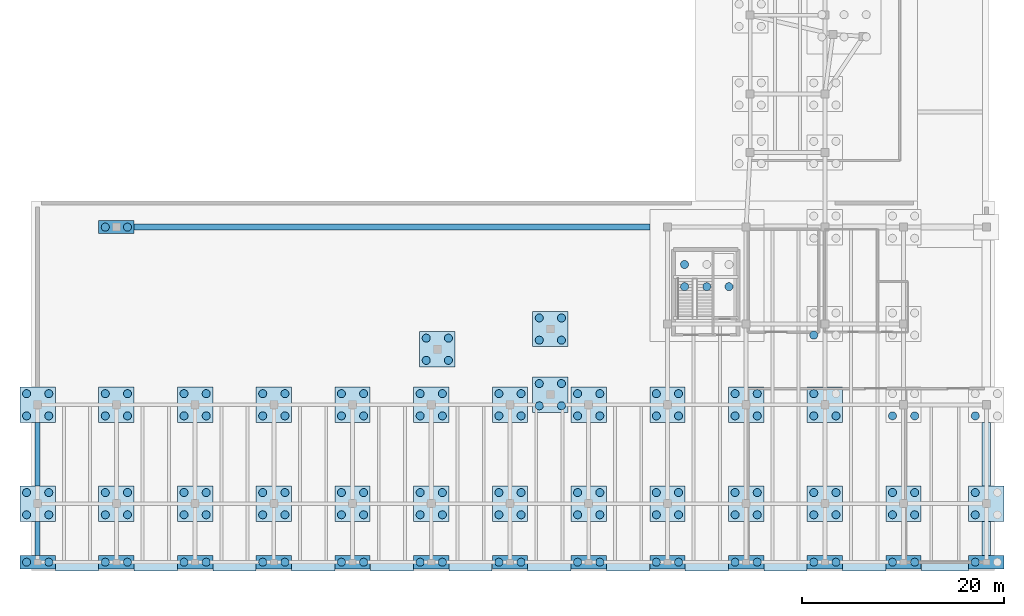
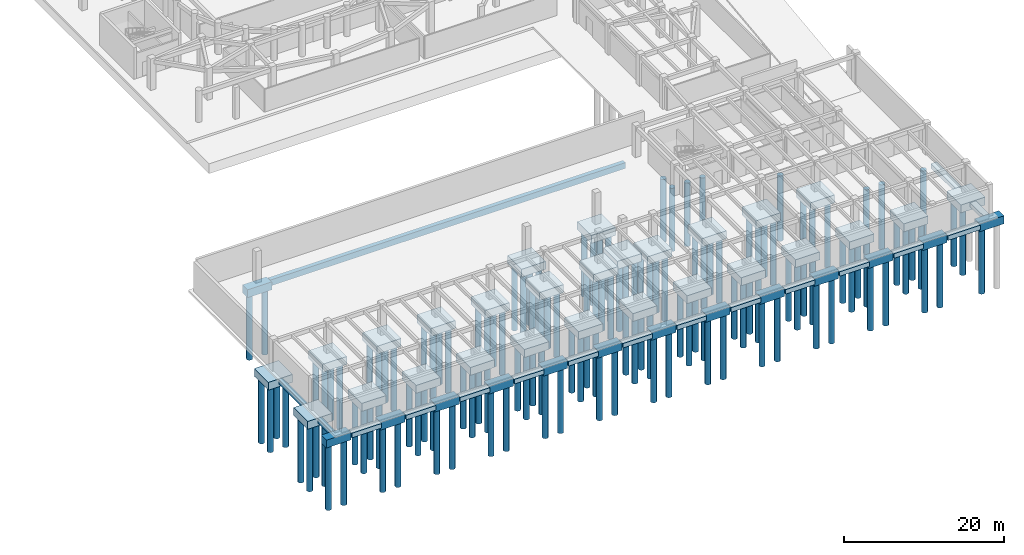
# One storey, part 1 of 11: 140 piles, 58 footings.
"""IFC4 building model written with IfcOpenShell, lengths in metres."""

from ifc_helpers import new_model, si_unit, direction, frame, origin, origin_2d, place, context, subcontext, project, spatial, rectangle, circle, extrude, material, layer, layer_set, material_profile, profile_set, type_object, element, save


model = new_model("IFC4")

# Units and contexts
model_context = context("Model", 3, precision=1e-05, world=origin(), true_north=direction((0.0, 1.0)))
body_context = subcontext(model_context, "Body", "Model", "MODEL_VIEW")
ifc_project = project(units=[si_unit("LENGTHUNIT", "METRE"), si_unit("AREAUNIT", "SQUARE_METRE"), si_unit("VOLUMEUNIT", "CUBIC_METRE"), si_unit("PLANEANGLEUNIT", "RADIAN"), si_unit("MASSUNIT", "GRAM", prefix="KILO")], contexts=[model_context])

# Site, building, storey
site_placement = place(None, origin())
site = spatial("IfcSite", under=ifc_project, at=site_placement, CompositionType="ELEMENT")
building_placement = place(site_placement, origin())
building = spatial("IfcBuilding", under=site, at=building_placement, Name="Pelvatis Terrace Science Centre", CompositionType="ELEMENT")
storey_placement = place(building_placement, frame((0.0, 0.0, -4.800048828125)))
storey = spatial("IfcBuildingStorey", under=building, at=storey_placement, Name="B01", CompositionType="ELEMENT", Elevation=-4.800048828125)

# Footings
ifc_material_1 = material(Name="Concrete C35/45", Category="concrete")
ifc_material_profile_1 = material_profile(ifc_material_1, rectangle(XDim=0.5, YDim=0.800048828125, at=origin_2d()), Name="RC-FTB 500x800")
ifc_profile_set_1 = profile_set([ifc_material_profile_1], Name="Concrete C35/45")
footing_type_1 = type_object("IfcFootingType", Name="FTG-BM-500x800", PredefinedType="FOOTING_BEAM", material=ifc_profile_set_1)
footing_1_placement = place(storey_placement, frame((70.199951171875, 1.044921875, -0.75), z_axis=(0.0, 1.0, 0.0), x_axis=(-1.0, 0.0, 0.0)))
element("IfcFooting", 1, at=footing_1_placement, inside=storey, type_object=footing_type_1, Name="Foundation footing beam 01", PredefinedType="FOOTING_BEAM", context=body_context, shape_type="SweptSolid", body=[
    extrude(rectangle(XDim=0.5, YDim=0.800048828125, at=origin_2d()), origin(), (0.0, 0.0, 1.0), 3.41015625),
])
footing_2_placement = place(storey_placement, frame((70.199951171875, 7.945068359375, -0.75), z_axis=(0.0, 1.0, 0.0), x_axis=(-1.0, 0.0, 0.0)))
element("IfcFooting", 2, at=footing_2_placement, inside=storey, type_object=footing_type_1, Name="Foundation footing beam 02", PredefinedType="FOOTING_BEAM", context=body_context, shape_type="SweptSolid", body=[
    extrude(rectangle(XDim=0.5, YDim=0.800048828125, at=origin_2d()), origin(), (0.0, 0.0, 1.0), 6.309814453125),
])
ifc_material_2 = material(Name="Concrete C35/45", Category="concrete")
ifc_material_profile_2 = material_profile(ifc_material_2, rectangle(XDim=0.60009765625, YDim=0.89990234375, at=origin_2d()), Name="RC-FTB 600x900")
ifc_profile_set_2 = profile_set([ifc_material_profile_2], Name="Concrete C35/45")
footing_type_2 = type_object("IfcFootingType", Name="FTG-BM-600x900", PredefinedType="FOOTING_BEAM", material=ifc_profile_set_2)
footing_3_placement = place(storey_placement, frame((79.7451171875, 33.60009765625, -0.75), z_axis=(1.0, 0.0, 0.0), x_axis=(0.0, 1.0, 0.0)))
element("IfcFooting", 3, at=footing_3_placement, inside=storey, type_object=footing_type_2, Name="Foundation footing beam 03", PredefinedType="FOOTING_BEAM", context=body_context, shape_type="SweptSolid", body=[
    extrude(rectangle(XDim=0.60009765625, YDim=0.89990234375, at=origin_2d()), origin(), (0.0, 0.0, 1.0), 51.10986328125),
])
ifc_material_3 = material(Name="Concrete C35/45", Category="concrete")
ifc_layer_1 = layer(ifc_material_3, 1.199951171875)
ifc_layer_set_1 = layer_set([ifc_layer_1], Name="Concrete C35/45")
footing_type_3 = type_object("IfcFootingType", Name="FTG-PC2-3500x1300x1200", PredefinedType="PILE_CAP", material=ifc_layer_set_1)
for number, where, z_axis, x_axis, name in (
    (4, (78.0, 0.39990234375, -1.5498046875), (0.0, 0.0, 1.0), (1.0, 0.0, 0.0), "Foundation cap B01-201"),
    (5, (85.800048828125, 0.39990234375, -1.5498046875), (0.0, 0.0, 1.0), (1.0, 0.0, 0.0), "Foundation cap B01-202"),
    (6, (93.60009765625, 0.39990234375, -1.5498046875), (0.0, 0.0, 1.0), (1.0, 0.0, 0.0), "Foundation cap B01-203"),
    (7, (70.199951171875, 0.39990234375, -1.5498046875), (0.0, 0.0, 1.0), (1.0, 0.0, 0.0), "Foundation cap B01-204"),
    (8, (78.0, 33.60009765625, -1.5498046875), (0.0, 0.0, 1.0), (1.0, 0.0, 0.0), "Foundation cap B01-213"),
    (9, (101.39990234375, 0.39990234375, -1.5498046875), (0.0, 0.0, 1.0), (1.0, 0.0, 0.0), "Foundation cap B01-215"),
    (10, (117.0, 0.39990234375, -1.5498046875), (0.0, 0.0, 1.0), (1.0, 0.0, 0.0), "Foundation cap B01-216"),
    (11, (109.199951171875, 0.39990234375, -1.5498046875), (0.0, 0.0, 1.0), (1.0, 0.0, 0.0), "Foundation cap B01-217"),
    (12, (140.39990234375, 0.39990234375, -1.5498046875), (0.0, 0.0, 1.0), (1.0, 0.0, 0.0), "Foundation cap B01-227"),
    (13, (124.800048828125, 0.39990234375, -1.5498046875), (0.0, 0.0, 1.0), (1.0, 0.0, 0.0), "Foundation cap B01-228"),
    (14, (132.60009765625, 0.39990234375, -1.5498046875), (0.0, 0.0, 1.0), (1.0, 0.0, 0.0), "Foundation cap B01-229"),
    (15, (164.199951171875, 0.39990234375, -1.5498046875), (0.0, 0.0, 1.0), (1.0, 0.0, 0.0), "Foundation cap B01-237"),
    (16, (156.0, 0.39990234375, -1.5498046875), (0.0, 0.0, 1.0), (1.0, 0.0, 0.0), "Foundation cap B01-238"),
    (17, (148.199951171875, 0.39990234375, -1.5498046875), (0.0, 0.0, 1.0), (1.0, 0.0, 0.0), "Foundation cap B01-239"),
):
    element("IfcFooting", number, at=place(storey_placement, frame(where, z_axis=z_axis, x_axis=x_axis)), inside=storey, type_object=footing_type_3, Name=name, PredefinedType="PILE_CAP", context=body_context, shape_type="SweptSolid", body=[
        extrude(rectangle(XDim=3.5, YDim=1.300048828125, at=origin_2d()), origin(), (0.0, 0.0, 1.0), 1.199951171875),
    ])
ifc_material_4 = material(Name="Concrete C35/45", Category="concrete")
ifc_layer_2 = layer(ifc_material_4, 1.199951171875)
ifc_layer_set_2 = layer_set([ifc_layer_2], Name="Concrete C35/45")
footing_type_4 = type_object("IfcFootingType", Name="FTG-PC4-3500x3500x1200", PredefinedType="PILE_CAP", material=ifc_layer_set_2)
for number, where, z_axis, x_axis, name in (
    (18, (70.199951171875, 6.199951171875, -1.5498046875), (0.0, 0.0, 1.0), (1.0, 0.0, 0.0), "Foundation cap B01-205"),
    (19, (78.0, 6.199951171875, -1.5498046875), (0.0, 0.0, 1.0), (1.0, 0.0, 0.0), "Foundation cap B01-206"),
    (20, (85.800048828125, 6.199951171875, -1.5498046875), (0.0, 0.0, 1.0), (1.0, 0.0, 0.0), "Foundation cap B01-207"),
    (21, (93.60009765625, 6.199951171875, -1.5498046875), (0.0, 0.0, 1.0), (1.0, 0.0, 0.0), "Foundation cap B01-208"),
    (22, (70.199951171875, 16.0, -1.5498046875), (0.0, 0.0, 1.0), (1.0, 0.0, 0.0), "Foundation cap B01-209"),
    (23, (78.0, 16.0, -1.5498046875), (0.0, 0.0, 1.0), (1.0, 0.0, 0.0), "Foundation cap B01-210"),
    (24, (85.800048828125, 16.0, -1.5498046875), (0.0, 0.0, 1.0), (1.0, 0.0, 0.0), "Foundation cap B01-211"),
    (25, (93.60009765625, 16.0, -1.5498046875), (0.0, 0.0, 1.0), (1.0, 0.0, 0.0), "Foundation cap B01-212"),
    (26, (101.39990234375, 6.199951171875, -1.5498046875), (0.0, 0.0, 1.0), (1.0, 0.0, 0.0), "Foundation cap B01-218"),
    (27, (117.0, 6.199951171875, -1.5498046875), (0.0, 0.0, 1.0), (1.0, 0.0, 0.0), "Foundation cap B01-219"),
    (28, (109.199951171875, 6.199951171875, -1.5498046875), (0.0, 0.0, 1.0), (1.0, 0.0, 0.0), "Foundation cap B01-220"),
    (29, (101.39990234375, 16.0, -1.5498046875), (0.0, 0.0, 1.0), (1.0, 0.0, 0.0), "Foundation cap B01-221"),
    (30, (117.0, 16.0, -1.5498046875), (0.0, 0.0, 1.0), (1.0, 0.0, 0.0), "Foundation cap B01-222"),
    (31, (109.199951171875, 16.0, -1.5498046875), (0.0, 0.0, 1.0), (1.0, 0.0, 0.0), "Foundation cap B01-223"),
    (32, (121.0, 17.0, -1.5498046875), (0.0, 0.0, 1.0), (1.0, 0.0, 0.0), "Foundation cap B01-224"),
    (33, (109.800048828125, 21.5, -1.5498046875), (0.0, 0.0, 1.0), (1.0, 0.0, 0.0), "Foundation cap B01-225"),
    (34, (121.0, 23.5, -1.5498046875), (0.0, 0.0, 1.0), (1.0, 0.0, 0.0), "Foundation cap B01-226"),
    (35, (140.39990234375, 6.199951171875, -1.5498046875), (0.0, 0.0, 1.0), (1.0, 0.0, 0.0), "Foundation cap B01-230"),
    (36, (132.60009765625, 6.199951171875, -1.5498046875), (0.0, 0.0, 1.0), (1.0, 0.0, 0.0), "Foundation cap B01-231"),
    (37, (124.800048828125, 6.199951171875, -1.5498046875), (0.0, 0.0, 1.0), (1.0, 0.0, 0.0), "Foundation cap B01-232"),
    (38, (140.39990234375, 16.0, -1.5498046875), (0.0, 0.0, 1.0), (1.0, 0.0, 0.0), "Foundation cap B01-233"),
    (39, (132.60009765625, 16.0, -1.5498046875), (0.0, 0.0, 1.0), (1.0, 0.0, 0.0), "Foundation cap B01-234"),
    (40, (124.800048828125, 16.0, -1.5498046875), (0.0, 0.0, 1.0), (1.0, 0.0, 0.0), "Foundation cap B01-235"),
    (41, (164.199951171875, 6.199951171875, -1.5498046875), (0.0, 0.0, 1.0), (1.0, 0.0, 0.0), "Foundation cap B01-240"),
    (42, (156.0, 6.199951171875, -1.5498046875), (0.0, 0.0, 1.0), (1.0, 0.0, 0.0), "Foundation cap B01-241"),
    (43, (148.199951171875, 6.199951171875, -1.5498046875), (0.0, 0.0, 1.0), (1.0, 0.0, 0.0), "Foundation cap B01-242"),
    (44, (148.199951171875, 16.0, -1.5498046875), (0.0, 0.0, 1.0), (1.0, 0.0, 0.0), "Foundation cap B01-243"),
):
    element("IfcFooting", number, at=place(storey_placement, frame(where, z_axis=z_axis, x_axis=x_axis)), inside=storey, type_object=footing_type_4, Name=name, PredefinedType="PILE_CAP", context=body_context, shape_type="SweptSolid", body=[
        extrude(rectangle(XDim=3.5, YDim=3.5, at=origin_2d()), origin(), (0.0, 0.0, 1.0), 1.199951171875),
    ])
ifc_material_5 = material(Name="Concrete C35/45", Category="concrete")
ifc_material_profile_3 = material_profile(ifc_material_5, rectangle(XDim=0.85009765625, YDim=0.64990234375, at=origin_2d()), Name="RC-STR 850x650")
ifc_profile_set_3 = profile_set([ifc_material_profile_3], Name="Concrete C35/45")
footing_type_5 = type_object("IfcFootingType", Name="FTG-STR-850x650", PredefinedType="STRIP_FOOTING", material=ifc_profile_set_3)
footing_4_placement = place(storey_placement, frame((164.199951171875, 1.06005859375, -0.75), z_axis=(0.0, 1.0, 0.0), x_axis=(-1.0, 0.0, 0.0)))
element("IfcFooting", 45, at=footing_4_placement, inside=storey, type_object=footing_type_5, Name="Foundation strip footing 32", PredefinedType="STRIP_FOOTING", context=body_context, shape_type="SweptSolid", body=[
    extrude(rectangle(XDim=0.85009765625, YDim=0.64990234375, at=origin_2d()), origin(), (0.0, 0.0, 1.0), 3.3798828125),
])
footing_5_placement = place(storey_placement, frame((164.199951171875, 7.9599609375, -0.75), z_axis=(0.0, 1.0, 0.0), x_axis=(-1.0, 0.0, 0.0)))
element("IfcFooting", 46, at=footing_5_placement, inside=storey, type_object=footing_type_5, Name="Foundation strip footing 33", PredefinedType="STRIP_FOOTING", context=body_context, shape_type="SweptSolid", body=[
    extrude(rectangle(XDim=0.85009765625, YDim=0.64990234375, at=origin_2d()), origin(), (0.0, 0.0, 1.0), 6.280029296875),
])
ifc_material_6 = material(Name="Concrete C35/45", Category="concrete")
ifc_material_profile_4 = material_profile(ifc_material_6, rectangle(XDim=0.949951171875, YDim=0.699951171875, at=origin_2d()), Name="RC-STR 950x700")
ifc_profile_set_4 = profile_set([ifc_material_profile_4], Name="Concrete C35/45")
footing_type_6 = type_object("IfcFootingType", Name="FTG-STR-950x700", PredefinedType="STRIP_FOOTING", material=ifc_profile_set_4)
for number, where, z_axis, x_axis, name in (
    (47, (71.9599609375, 0.0, -0.75), (1.0, 0.0, 0.0), (0.0, 1.0, 0.0), "Foundation strip footing 20"),
    (48, (79.760009765625, 0.0, -0.75), (1.0, 0.0, 0.0), (0.0, 1.0, 0.0), "Foundation strip footing 21"),
    (49, (87.56005859375, 0.0, -0.75), (1.0, 0.0, 0.0), (0.0, 1.0, 0.0), "Foundation strip footing 22"),
):
    element("IfcFooting", number, at=place(storey_placement, frame(where, z_axis=z_axis, x_axis=x_axis)), inside=storey, type_object=footing_type_6, Name=name, PredefinedType="STRIP_FOOTING", context=body_context, shape_type="SweptSolid", body=[
        extrude(rectangle(XDim=0.949951171875, YDim=0.699951171875, at=origin_2d()), origin(), (0.0, 0.0, 1.0), 4.280029296875),
    ])
footing_6_placement = place(storey_placement, frame((95.360107421875, 0.0, -0.75), z_axis=(1.0, 0.0, 0.0), x_axis=(0.0, 1.0, 0.0)))
element("IfcFooting", 50, at=footing_6_placement, inside=storey, type_object=footing_type_6, Name="Foundation strip footing 23", PredefinedType="STRIP_FOOTING", context=body_context, shape_type="SweptSolid", body=[
    extrude(rectangle(XDim=0.949951171875, YDim=0.699951171875, at=origin_2d()), origin(), (0.0, 0.0, 1.0), 4.27978515625),
])
for number, where, z_axis, x_axis, name in (
    (51, (103.159912109375, 0.0, -0.75), (1.0, 0.0, 0.0), (0.0, 1.0, 0.0), "Foundation strip footing 24"),
    (52, (110.9599609375, 0.0, -0.75), (1.0, 0.0, 0.0), (0.0, 1.0, 0.0), "Foundation strip footing 25"),
    (53, (118.760009765625, 0.0, -0.75), (1.0, 0.0, 0.0), (0.0, 1.0, 0.0), "Foundation strip footing 26"),
    (54, (126.56005859375, 0.0, -0.75), (1.0, 0.0, 0.0), (0.0, 1.0, 0.0), "Foundation strip footing 27"),
):
    element("IfcFooting", number, at=place(storey_placement, frame(where, z_axis=z_axis, x_axis=x_axis)), inside=storey, type_object=footing_type_6, Name=name, PredefinedType="STRIP_FOOTING", context=body_context, shape_type="SweptSolid", body=[
        extrude(rectangle(XDim=0.949951171875, YDim=0.699951171875, at=origin_2d()), origin(), (0.0, 0.0, 1.0), 4.280029296875),
    ])
footing_7_placement = place(storey_placement, frame((134.360107421875, 0.0, -0.75), z_axis=(1.0, 0.0, 0.0), x_axis=(0.0, 1.0, 0.0)))
element("IfcFooting", 55, at=footing_7_placement, inside=storey, type_object=footing_type_6, Name="Foundation strip footing 28", PredefinedType="STRIP_FOOTING", context=body_context, shape_type="SweptSolid", body=[
    extrude(rectangle(XDim=0.949951171875, YDim=0.699951171875, at=origin_2d()), origin(), (0.0, 0.0, 1.0), 4.27978515625),
])
for number, where, z_axis, x_axis, name in (
    (56, (142.159912109375, 0.0, -0.75), (1.0, 0.0, 0.0), (0.0, 1.0, 0.0), "Foundation strip footing 29"),
    (57, (149.9599609375, 0.0, -0.75), (1.0, 0.0, 0.0), (0.0, 1.0, 0.0), "Foundation strip footing 30"),
):
    element("IfcFooting", number, at=place(storey_placement, frame(where, z_axis=z_axis, x_axis=x_axis)), inside=storey, type_object=footing_type_6, Name=name, PredefinedType="STRIP_FOOTING", context=body_context, shape_type="SweptSolid", body=[
        extrude(rectangle(XDim=0.949951171875, YDim=0.699951171875, at=origin_2d()), origin(), (0.0, 0.0, 1.0), 4.280029296875),
    ])
footing_8_placement = place(storey_placement, frame((157.760009765625, 0.0, -0.75), z_axis=(1.0, 0.0, 0.0), x_axis=(0.0, 1.0, 0.0)))
element("IfcFooting", 58, at=footing_8_placement, inside=storey, type_object=footing_type_6, Name="Foundation strip footing 31", PredefinedType="STRIP_FOOTING", context=body_context, shape_type="SweptSolid", body=[
    extrude(rectangle(XDim=0.949951171875, YDim=0.699951171875, at=origin_2d()), origin(), (0.0, 0.0, 1.0), 4.679931640625),
])

# Piles
ifc_material_7 = material(Name="Concrete C30/37", Category="concrete")
ifc_material_profile_5 = material_profile(ifc_material_7, circle(Radius=0.39990234375, at=origin_2d()), Name="PILE D800")
ifc_profile_set_5 = profile_set([ifc_material_profile_5], Name="Concrete C30/37")
pile_type = type_object("IfcPileType", Name="PIL-BORED-D800", PredefinedType="BORED", material=ifc_profile_set_5)
for number, where, z_axis, x_axis, name in (
    (59, (76.89990234375, 0.39990234375, -1.449951171875), (0.0, 0.0, -1.0), (1.0, 0.0, 0.0), "Bored pile B01-201-1"),
    (60, (79.10009765625, 0.39990234375, -1.449951171875), (0.0, 0.0, -1.0), (1.0, 0.0, 0.0), "Bored pile B01-201-2"),
    (61, (84.699951171875, 0.39990234375, -1.449951171875), (0.0, 0.0, -1.0), (1.0, 0.0, 0.0), "Bored pile B01-202-1"),
    (62, (86.89990234375, 0.39990234375, -1.449951171875), (0.0, 0.0, -1.0), (1.0, 0.0, 0.0), "Bored pile B01-202-2"),
    (63, (92.5, 0.39990234375, -1.449951171875), (0.0, 0.0, -1.0), (1.0, 0.0, 0.0), "Bored pile B01-203-1"),
    (64, (94.699951171875, 0.39990234375, -1.449951171875), (0.0, 0.0, -1.0), (1.0, 0.0, 0.0), "Bored pile B01-203-2"),
    (65, (69.10009765625, 0.39990234375, -1.449951171875), (0.0, 0.0, -1.0), (1.0, 0.0, 0.0), "Bored pile B01-204-1"),
    (66, (71.300048828125, 0.39990234375, -1.449951171875), (0.0, 0.0, -1.0), (1.0, 0.0, 0.0), "Bored pile B01-204-2"),
    (67, (69.10009765625, 5.10009765625, -1.449951171875), (0.0, 0.0, -1.0), (1.0, 0.0, 0.0), "Bored pile B01-205-1"),
    (68, (69.10009765625, 7.300048828125, -1.449951171875), (0.0, 0.0, -1.0), (1.0, 0.0, 0.0), "Bored pile B01-205-2"),
    (69, (71.300048828125, 5.10009765625, -1.449951171875), (0.0, 0.0, -1.0), (1.0, 0.0, 0.0), "Bored pile B01-205-3"),
    (70, (71.300048828125, 7.300048828125, -1.449951171875), (0.0, 0.0, -1.0), (1.0, 0.0, 0.0), "Bored pile B01-205-4"),
    (71, (76.89990234375, 5.10009765625, -1.449951171875), (0.0, 0.0, -1.0), (1.0, 0.0, 0.0), "Bored pile B01-206-1"),
    (72, (76.89990234375, 7.300048828125, -1.449951171875), (0.0, 0.0, -1.0), (1.0, 0.0, 0.0), "Bored pile B01-206-2"),
    (73, (79.10009765625, 5.10009765625, -1.449951171875), (0.0, 0.0, -1.0), (1.0, 0.0, 0.0), "Bored pile B01-206-3"),
    (74, (79.10009765625, 7.300048828125, -1.449951171875), (0.0, 0.0, -1.0), (1.0, 0.0, 0.0), "Bored pile B01-206-4"),
    (75, (84.699951171875, 5.10009765625, -1.449951171875), (0.0, 0.0, -1.0), (1.0, 0.0, 0.0), "Bored pile B01-207-1"),
    (76, (84.699951171875, 7.300048828125, -1.449951171875), (0.0, 0.0, -1.0), (1.0, 0.0, 0.0), "Bored pile B01-207-2"),
    (77, (86.89990234375, 5.10009765625, -1.449951171875), (0.0, 0.0, -1.0), (1.0, 0.0, 0.0), "Bored pile B01-207-3"),
    (78, (86.89990234375, 7.300048828125, -1.449951171875), (0.0, 0.0, -1.0), (1.0, 0.0, 0.0), "Bored pile B01-207-4"),
    (79, (92.5, 5.10009765625, -1.449951171875), (0.0, 0.0, -1.0), (1.0, 0.0, 0.0), "Bored pile B01-208-1"),
    (80, (92.5, 7.300048828125, -1.449951171875), (0.0, 0.0, -1.0), (1.0, 0.0, 0.0), "Bored pile B01-208-2"),
    (81, (94.699951171875, 5.10009765625, -1.449951171875), (0.0, 0.0, -1.0), (1.0, 0.0, 0.0), "Bored pile B01-208-3"),
    (82, (94.699951171875, 7.300048828125, -1.449951171875), (0.0, 0.0, -1.0), (1.0, 0.0, 0.0), "Bored pile B01-208-4"),
    (83, (69.10009765625, 14.89990234375, -1.449951171875), (0.0, 0.0, -1.0), (1.0, 0.0, 0.0), "Bored pile B01-209-1"),
    (84, (69.10009765625, 17.10009765625, -1.449951171875), (0.0, 0.0, -1.0), (1.0, 0.0, 0.0), "Bored pile B01-209-2"),
    (85, (71.300048828125, 14.89990234375, -1.449951171875), (0.0, 0.0, -1.0), (1.0, 0.0, 0.0), "Bored pile B01-209-3"),
    (86, (71.300048828125, 17.10009765625, -1.449951171875), (0.0, 0.0, -1.0), (1.0, 0.0, 0.0), "Bored pile B01-209-4"),
    (87, (76.89990234375, 14.89990234375, -1.449951171875), (0.0, 0.0, -1.0), (1.0, 0.0, 0.0), "Bored pile B01-210-1"),
    (88, (76.89990234375, 17.10009765625, -1.449951171875), (0.0, 0.0, -1.0), (1.0, 0.0, 0.0), "Bored pile B01-210-2"),
    (89, (79.10009765625, 14.89990234375, -1.449951171875), (0.0, 0.0, -1.0), (1.0, 0.0, 0.0), "Bored pile B01-210-3"),
    (90, (79.10009765625, 17.10009765625, -1.449951171875), (0.0, 0.0, -1.0), (1.0, 0.0, 0.0), "Bored pile B01-210-4"),
    (91, (84.699951171875, 14.89990234375, -1.449951171875), (0.0, 0.0, -1.0), (1.0, 0.0, 0.0), "Bored pile B01-211-1"),
    (92, (84.699951171875, 17.10009765625, -1.449951171875), (0.0, 0.0, -1.0), (1.0, 0.0, 0.0), "Bored pile B01-211-2"),
    (93, (86.89990234375, 14.89990234375, -1.449951171875), (0.0, 0.0, -1.0), (1.0, 0.0, 0.0), "Bored pile B01-211-3"),
    (94, (86.89990234375, 17.10009765625, -1.449951171875), (0.0, 0.0, -1.0), (1.0, 0.0, 0.0), "Bored pile B01-211-4"),
    (95, (92.5, 14.89990234375, -1.449951171875), (0.0, 0.0, -1.0), (1.0, 0.0, 0.0), "Bored pile B01-212-1"),
    (96, (92.5, 17.10009765625, -1.449951171875), (0.0, 0.0, -1.0), (1.0, 0.0, 0.0), "Bored pile B01-212-2"),
    (97, (94.699951171875, 14.89990234375, -1.449951171875), (0.0, 0.0, -1.0), (1.0, 0.0, 0.0), "Bored pile B01-212-3"),
    (98, (94.699951171875, 17.10009765625, -1.449951171875), (0.0, 0.0, -1.0), (1.0, 0.0, 0.0), "Bored pile B01-212-4"),
    (99, (76.89990234375, 33.60009765625, -1.449951171875), (0.0, 0.0, -1.0), (1.0, 0.0, 0.0), "Bored pile B01-213-1"),
    (100, (79.10009765625, 33.60009765625, -1.449951171875), (0.0, 0.0, -1.0), (1.0, 0.0, 0.0), "Bored pile B01-213-2"),
    (101, (100.300048828125, 0.39990234375, -1.449951171875), (0.0, 0.0, -1.0), (1.0, 0.0, 0.0), "Bored pile B01-215-1"),
    (102, (102.5, 0.39990234375, -1.449951171875), (0.0, 0.0, -1.0), (1.0, 0.0, 0.0), "Bored pile B01-215-2"),
    (103, (115.89990234375, 0.39990234375, -1.449951171875), (0.0, 0.0, -1.0), (1.0, 0.0, 0.0), "Bored pile B01-216-1"),
    (104, (118.10009765625, 0.39990234375, -1.449951171875), (0.0, 0.0, -1.0), (1.0, 0.0, 0.0), "Bored pile B01-216-2"),
    (105, (108.10009765625, 0.39990234375, -1.449951171875), (0.0, 0.0, -1.0), (1.0, 0.0, 0.0), "Bored pile B01-217-1"),
    (106, (110.300048828125, 0.39990234375, -1.449951171875), (0.0, 0.0, -1.0), (1.0, 0.0, 0.0), "Bored pile B01-217-2"),
    (107, (100.300048828125, 5.10009765625, -1.449951171875), (0.0, 0.0, -1.0), (1.0, 0.0, 0.0), "Bored pile B01-218-1"),
    (108, (100.300048828125, 7.300048828125, -1.449951171875), (0.0, 0.0, -1.0), (1.0, 0.0, 0.0), "Bored pile B01-218-2"),
    (109, (102.5, 5.10009765625, -1.449951171875), (0.0, 0.0, -1.0), (1.0, 0.0, 0.0), "Bored pile B01-218-3"),
    (110, (102.5, 7.300048828125, -1.449951171875), (0.0, 0.0, -1.0), (1.0, 0.0, 0.0), "Bored pile B01-218-4"),
    (111, (115.89990234375, 5.10009765625, -1.449951171875), (0.0, 0.0, -1.0), (1.0, 0.0, 0.0), "Bored pile B01-219-1"),
    (112, (115.89990234375, 7.300048828125, -1.449951171875), (0.0, 0.0, -1.0), (1.0, 0.0, 0.0), "Bored pile B01-219-2"),
    (113, (118.10009765625, 5.10009765625, -1.449951171875), (0.0, 0.0, -1.0), (1.0, 0.0, 0.0), "Bored pile B01-219-3"),
    (114, (118.10009765625, 7.300048828125, -1.449951171875), (0.0, 0.0, -1.0), (1.0, 0.0, 0.0), "Bored pile B01-219-4"),
    (115, (108.10009765625, 5.10009765625, -1.449951171875), (0.0, 0.0, -1.0), (1.0, 0.0, 0.0), "Bored pile B01-220-1"),
    (116, (108.10009765625, 7.300048828125, -1.449951171875), (0.0, 0.0, -1.0), (1.0, 0.0, 0.0), "Bored pile B01-220-2"),
    (117, (110.300048828125, 5.10009765625, -1.449951171875), (0.0, 0.0, -1.0), (1.0, 0.0, 0.0), "Bored pile B01-220-3"),
    (118, (110.300048828125, 7.300048828125, -1.449951171875), (0.0, 0.0, -1.0), (1.0, 0.0, 0.0), "Bored pile B01-220-4"),
    (119, (100.300048828125, 14.89990234375, -1.449951171875), (0.0, 0.0, -1.0), (1.0, 0.0, 0.0), "Bored pile B01-221-1"),
    (120, (100.300048828125, 17.10009765625, -1.449951171875), (0.0, 0.0, -1.0), (1.0, 0.0, 0.0), "Bored pile B01-221-2"),
    (121, (102.5, 14.89990234375, -1.449951171875), (0.0, 0.0, -1.0), (1.0, 0.0, 0.0), "Bored pile B01-221-3"),
    (122, (102.5, 17.10009765625, -1.449951171875), (0.0, 0.0, -1.0), (1.0, 0.0, 0.0), "Bored pile B01-221-4"),
    (123, (115.89990234375, 14.89990234375, -1.449951171875), (0.0, 0.0, -1.0), (1.0, 0.0, 0.0), "Bored pile B01-222-1"),
    (124, (115.89990234375, 17.10009765625, -1.449951171875), (0.0, 0.0, -1.0), (1.0, 0.0, 0.0), "Bored pile B01-222-2"),
    (125, (118.10009765625, 14.89990234375, -1.449951171875), (0.0, 0.0, -1.0), (1.0, 0.0, 0.0), "Bored pile B01-222-3"),
    (126, (118.10009765625, 17.10009765625, -1.449951171875), (0.0, 0.0, -1.0), (1.0, 0.0, 0.0), "Bored pile B01-222-4"),
    (127, (108.10009765625, 14.89990234375, -1.449951171875), (0.0, 0.0, -1.0), (1.0, 0.0, 0.0), "Bored pile B01-223-1"),
    (128, (108.10009765625, 17.10009765625, -1.449951171875), (0.0, 0.0, -1.0), (1.0, 0.0, 0.0), "Bored pile B01-223-2"),
    (129, (110.300048828125, 14.89990234375, -1.449951171875), (0.0, 0.0, -1.0), (1.0, 0.0, 0.0), "Bored pile B01-223-3"),
    (130, (110.300048828125, 17.10009765625, -1.449951171875), (0.0, 0.0, -1.0), (1.0, 0.0, 0.0), "Bored pile B01-223-4"),
    (131, (119.89990234375, 15.89990234375, -1.449951171875), (0.0, 0.0, -1.0), (1.0, 0.0, 0.0), "Bored pile B01-224-1"),
    (132, (119.89990234375, 18.10009765625, -1.449951171875), (0.0, 0.0, -1.0), (1.0, 0.0, 0.0), "Bored pile B01-224-2"),
    (133, (122.10009765625, 15.89990234375, -1.449951171875), (0.0, 0.0, -1.0), (1.0, 0.0, 0.0), "Bored pile B01-224-3"),
    (134, (122.10009765625, 18.10009765625, -1.449951171875), (0.0, 0.0, -1.0), (1.0, 0.0, 0.0), "Bored pile B01-224-4"),
    (135, (108.699951171875, 20.39990234375, -1.449951171875), (0.0, 0.0, -1.0), (1.0, 0.0, 0.0), "Bored pile B01-225-1"),
    (136, (108.699951171875, 22.60009765625, -1.449951171875), (0.0, 0.0, -1.0), (1.0, 0.0, 0.0), "Bored pile B01-225-2"),
    (137, (110.89990234375, 20.39990234375, -1.449951171875), (0.0, 0.0, -1.0), (1.0, 0.0, 0.0), "Bored pile B01-225-3"),
    (138, (110.89990234375, 22.60009765625, -1.449951171875), (0.0, 0.0, -1.0), (1.0, 0.0, 0.0), "Bored pile B01-225-4"),
    (139, (119.89990234375, 22.39990234375, -1.449951171875), (0.0, 0.0, -1.0), (1.0, 0.0, 0.0), "Bored pile B01-226-1"),
    (140, (119.89990234375, 24.60009765625, -1.449951171875), (0.0, 0.0, -1.0), (1.0, 0.0, 0.0), "Bored pile B01-226-2"),
    (141, (122.10009765625, 22.39990234375, -1.449951171875), (0.0, 0.0, -1.0), (1.0, 0.0, 0.0), "Bored pile B01-226-3"),
    (142, (122.10009765625, 24.60009765625, -1.449951171875), (0.0, 0.0, -1.0), (1.0, 0.0, 0.0), "Bored pile B01-226-4"),
    (143, (139.300048828125, 0.39990234375, -1.449951171875), (0.0, 0.0, -1.0), (1.0, 0.0, 0.0), "Bored pile B01-227-1"),
    (144, (141.5, 0.39990234375, -1.449951171875), (0.0, 0.0, -1.0), (1.0, 0.0, 0.0), "Bored pile B01-227-2"),
    (145, (123.699951171875, 0.39990234375, -1.449951171875), (0.0, 0.0, -1.0), (1.0, 0.0, 0.0), "Bored pile B01-228-1"),
    (146, (125.89990234375, 0.39990234375, -1.449951171875), (0.0, 0.0, -1.0), (1.0, 0.0, 0.0), "Bored pile B01-228-2"),
    (147, (131.5, 0.39990234375, -1.449951171875), (0.0, 0.0, -1.0), (1.0, 0.0, 0.0), "Bored pile B01-229-1"),
    (148, (133.699951171875, 0.39990234375, -1.449951171875), (0.0, 0.0, -1.0), (1.0, 0.0, 0.0), "Bored pile B01-229-2"),
    (149, (139.300048828125, 5.10009765625, -1.449951171875), (0.0, 0.0, -1.0), (1.0, 0.0, 0.0), "Bored pile B01-230-1"),
    (150, (139.300048828125, 7.300048828125, -1.449951171875), (0.0, 0.0, -1.0), (1.0, 0.0, 0.0), "Bored pile B01-230-2"),
    (151, (141.5, 5.10009765625, -1.449951171875), (0.0, 0.0, -1.0), (1.0, 0.0, 0.0), "Bored pile B01-230-3"),
    (152, (141.5, 7.300048828125, -1.449951171875), (0.0, 0.0, -1.0), (1.0, 0.0, 0.0), "Bored pile B01-230-4"),
    (153, (131.5, 5.10009765625, -1.449951171875), (0.0, 0.0, -1.0), (1.0, 0.0, 0.0), "Bored pile B01-231-1"),
    (154, (131.5, 7.300048828125, -1.449951171875), (0.0, 0.0, -1.0), (1.0, 0.0, 0.0), "Bored pile B01-231-2"),
    (155, (133.699951171875, 5.10009765625, -1.449951171875), (0.0, 0.0, -1.0), (1.0, 0.0, 0.0), "Bored pile B01-231-3"),
    (156, (133.699951171875, 7.300048828125, -1.449951171875), (0.0, 0.0, -1.0), (1.0, 0.0, 0.0), "Bored pile B01-231-4"),
    (157, (123.699951171875, 5.10009765625, -1.449951171875), (0.0, 0.0, -1.0), (1.0, 0.0, 0.0), "Bored pile B01-232-1"),
    (158, (123.699951171875, 7.300048828125, -1.449951171875), (0.0, 0.0, -1.0), (1.0, 0.0, 0.0), "Bored pile B01-232-2"),
    (159, (125.89990234375, 5.10009765625, -1.449951171875), (0.0, 0.0, -1.0), (1.0, 0.0, 0.0), "Bored pile B01-232-3"),
    (160, (125.89990234375, 7.300048828125, -1.449951171875), (0.0, 0.0, -1.0), (1.0, 0.0, 0.0), "Bored pile B01-232-4"),
    (161, (139.300048828125, 14.89990234375, -1.449951171875), (0.0, 0.0, -1.0), (1.0, 0.0, 0.0), "Bored pile B01-233-1"),
    (162, (139.300048828125, 17.10009765625, -1.449951171875), (0.0, 0.0, -1.0), (1.0, 0.0, 0.0), "Bored pile B01-233-2"),
    (163, (141.5, 14.89990234375, -1.449951171875), (0.0, 0.0, -1.0), (1.0, 0.0, 0.0), "Bored pile B01-233-3"),
    (164, (141.5, 17.10009765625, -1.449951171875), (0.0, 0.0, -1.0), (1.0, 0.0, 0.0), "Bored pile B01-233-4"),
    (165, (131.5, 14.89990234375, -1.449951171875), (0.0, 0.0, -1.0), (1.0, 0.0, 0.0), "Bored pile B01-234-1"),
    (166, (131.5, 17.10009765625, -1.449951171875), (0.0, 0.0, -1.0), (1.0, 0.0, 0.0), "Bored pile B01-234-2"),
    (167, (133.699951171875, 14.89990234375, -1.449951171875), (0.0, 0.0, -1.0), (1.0, 0.0, 0.0), "Bored pile B01-234-3"),
    (168, (133.699951171875, 17.10009765625, -1.449951171875), (0.0, 0.0, -1.0), (1.0, 0.0, 0.0), "Bored pile B01-234-4"),
    (169, (123.699951171875, 14.89990234375, -1.449951171875), (0.0, 0.0, -1.0), (1.0, 0.0, 0.0), "Bored pile B01-235-1"),
    (170, (123.699951171875, 17.10009765625, -1.449951171875), (0.0, 0.0, -1.0), (1.0, 0.0, 0.0), "Bored pile B01-235-2"),
    (171, (125.89990234375, 14.89990234375, -1.449951171875), (0.0, 0.0, -1.0), (1.0, 0.0, 0.0), "Bored pile B01-235-3"),
    (172, (125.89990234375, 17.10009765625, -1.449951171875), (0.0, 0.0, -1.0), (1.0, 0.0, 0.0), "Bored pile B01-235-4"),
):
    element("IfcPile", number, at=place(storey_placement, frame(where, z_axis=z_axis, x_axis=x_axis)), inside=storey, type_object=pile_type, Name=name, PredefinedType="BORED", context=body_context, shape_type="SweptSolid", body=[
        extrude(circle(Radius=0.39990234375, at=origin_2d()), origin(), (0.0, 0.0, 1.0), 9.949951171875),
    ])
for number, where, z_axis, x_axis, name in (
    (173, (134.300048828125, 27.699951171875, -1.75), (0.0, 0.0, -1.0), (1.0, 0.0, 0.0), "Bored pile B01-236-1"),
    (174, (136.5, 27.699951171875, -1.75), (0.0, 0.0, -1.0), (1.0, 0.0, 0.0), "Bored pile B01-236-2"),
    (175, (138.699951171875, 27.699951171875, -1.75), (0.0, 0.0, -1.0), (1.0, 0.0, 0.0), "Bored pile B01-236-3"),
    (176, (134.300048828125, 29.89990234375, -1.75), (0.0, 0.0, -1.0), (1.0, 0.0, 0.0), "Bored pile B01-236-4"),
):
    element("IfcPile", number, at=place(storey_placement, frame(where, z_axis=z_axis, x_axis=x_axis)), inside=storey, type_object=pile_type, Name=name, PredefinedType="BORED", context=body_context, shape_type="SweptSolid", body=[
        extrude(circle(Radius=0.39990234375, at=origin_2d()), origin(), (0.0, 0.0, 1.0), 9.64990234375),
    ])
for number, where, z_axis, x_axis, name in (
    (177, (163.10009765625, 0.39990234375, -1.449951171875), (0.0, 0.0, -1.0), (1.0, 0.0, 0.0), "Bored pile B01-237-1"),
    (178, (154.89990234375, 0.39990234375, -1.449951171875), (0.0, 0.0, -1.0), (1.0, 0.0, 0.0), "Bored pile B01-238-1"),
    (179, (157.10009765625, 0.39990234375, -1.449951171875), (0.0, 0.0, -1.0), (1.0, 0.0, 0.0), "Bored pile B01-238-2"),
    (180, (147.10009765625, 0.39990234375, -1.449951171875), (0.0, 0.0, -1.0), (1.0, 0.0, 0.0), "Bored pile B01-239-1"),
    (181, (149.300048828125, 0.39990234375, -1.449951171875), (0.0, 0.0, -1.0), (1.0, 0.0, 0.0), "Bored pile B01-239-2"),
    (182, (163.10009765625, 5.10009765625, -1.449951171875), (0.0, 0.0, -1.0), (1.0, 0.0, 0.0), "Bored pile B01-240-1"),
    (183, (163.10009765625, 7.300048828125, -1.449951171875), (0.0, 0.0, -1.0), (1.0, 0.0, 0.0), "Bored pile B01-240-2"),
    (184, (154.89990234375, 5.10009765625, -1.449951171875), (0.0, 0.0, -1.0), (1.0, 0.0, 0.0), "Bored pile B01-241-1"),
    (185, (154.89990234375, 7.300048828125, -1.449951171875), (0.0, 0.0, -1.0), (1.0, 0.0, 0.0), "Bored pile B01-241-2"),
    (186, (157.10009765625, 5.10009765625, -1.449951171875), (0.0, 0.0, -1.0), (1.0, 0.0, 0.0), "Bored pile B01-241-3"),
    (187, (157.10009765625, 7.300048828125, -1.449951171875), (0.0, 0.0, -1.0), (1.0, 0.0, 0.0), "Bored pile B01-241-4"),
    (188, (147.10009765625, 5.10009765625, -1.449951171875), (0.0, 0.0, -1.0), (1.0, 0.0, 0.0), "Bored pile B01-242-1"),
    (189, (147.10009765625, 7.300048828125, -1.449951171875), (0.0, 0.0, -1.0), (1.0, 0.0, 0.0), "Bored pile B01-242-2"),
    (190, (149.300048828125, 5.10009765625, -1.449951171875), (0.0, 0.0, -1.0), (1.0, 0.0, 0.0), "Bored pile B01-242-3"),
    (191, (149.300048828125, 7.300048828125, -1.449951171875), (0.0, 0.0, -1.0), (1.0, 0.0, 0.0), "Bored pile B01-242-4"),
    (192, (147.10009765625, 14.89990234375, -1.449951171875), (0.0, 0.0, -1.0), (1.0, 0.0, 0.0), "Bored pile B01-243-1"),
    (193, (147.10009765625, 17.10009765625, -1.449951171875), (0.0, 0.0, -1.0), (1.0, 0.0, 0.0), "Bored pile B01-243-2"),
    (194, (149.300048828125, 14.89990234375, -1.449951171875), (0.0, 0.0, -1.0), (1.0, 0.0, 0.0), "Bored pile B01-243-3"),
    (195, (163.10009765625, 14.89990234375, -1.449951171875), (0.0, 0.0, -1.0), (1.0, 0.0, 0.0), "Bored pile B01-244-1"),
    (196, (154.89990234375, 14.89990234375, -1.449951171875), (0.0, 0.0, -1.0), (1.0, 0.0, 0.0), "Bored pile B01-245-1"),
    (197, (157.10009765625, 14.89990234375, -1.449951171875), (0.0, 0.0, -1.0), (1.0, 0.0, 0.0), "Bored pile B01-245-3"),
    (198, (147.10009765625, 22.89990234375, -1.449951171875), (0.0, 0.0, -1.0), (1.0, 0.0, 0.0), "Bored pile B01-247-1"),
):
    element("IfcPile", number, at=place(storey_placement, frame(where, z_axis=z_axis, x_axis=x_axis)), inside=storey, type_object=pile_type, Name=name, PredefinedType="BORED", context=body_context, shape_type="SweptSolid", body=[
        extrude(circle(Radius=0.39990234375, at=origin_2d()), origin(), (0.0, 0.0, 1.0), 9.949951171875),
    ])

save(model, "model.ifc")
